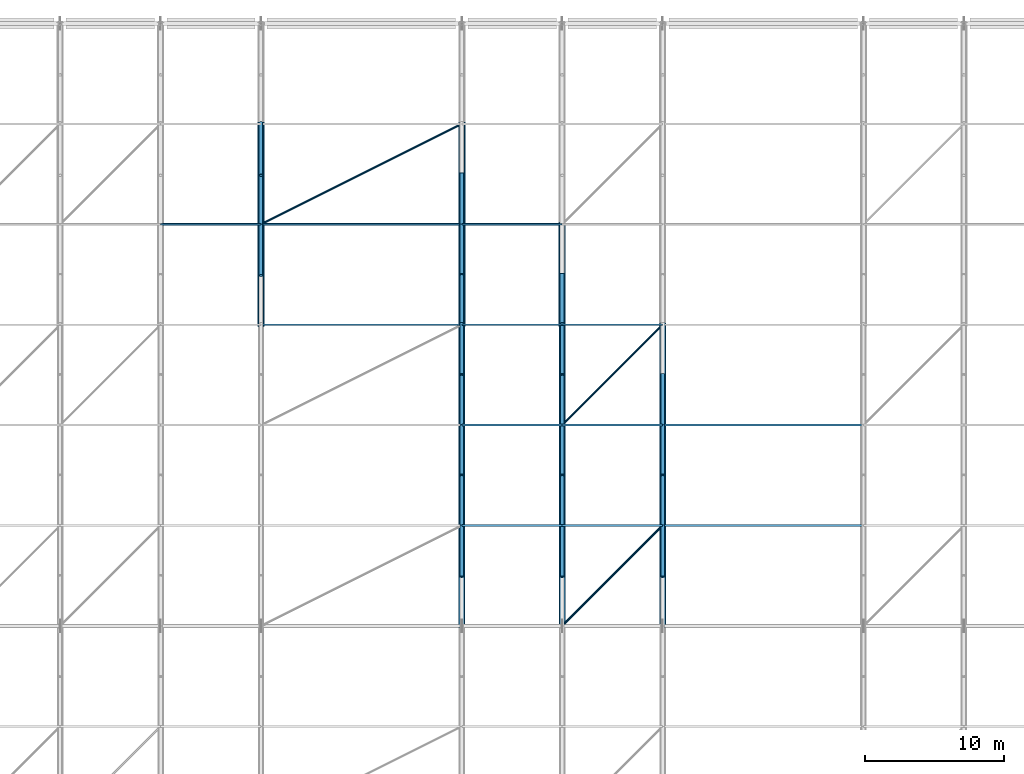
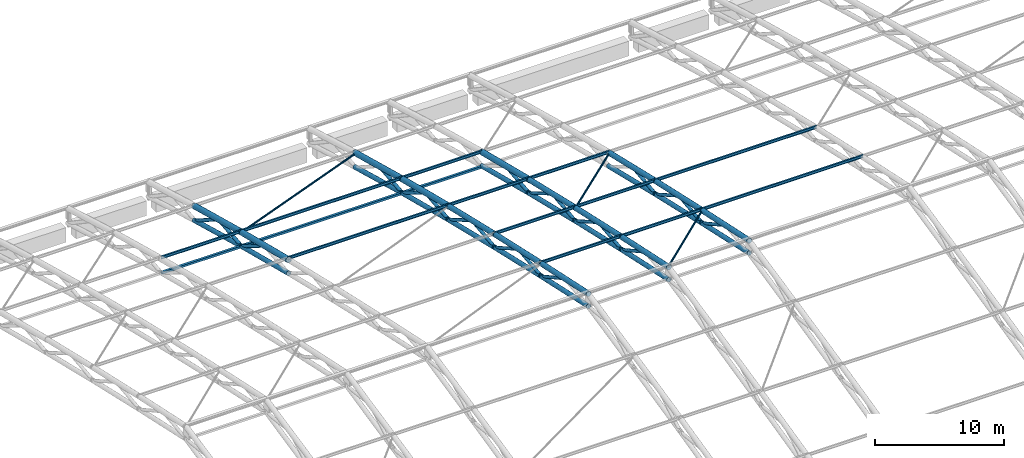
# One storey, part 44 of 193: 67 members.
"""IFC4 building model written with IfcOpenShell, lengths in metres."""

from ifc_helpers import new_model, si_unit, direction, frame, origin, origin_2d, place, context, subcontext, project, spatial, hollow_rectangle, hollow_circle, i_section, extrude, material, material_profile, profile_set, type_object, element, save


model = new_model("IFC4")

# Units and contexts
model_context = context("Model", 3, precision=1e-05, world=origin(), true_north=direction((0.0, 1.0)))
body_context = subcontext(model_context, "Body", "Model", "MODEL_VIEW")
ifc_project = project(units=[si_unit("LENGTHUNIT", "METRE"), si_unit("AREAUNIT", "SQUARE_METRE"), si_unit("VOLUMEUNIT", "CUBIC_METRE"), si_unit("PLANEANGLEUNIT", "RADIAN"), si_unit("MASSUNIT", "GRAM", prefix="KILO")], contexts=[model_context])

# Site, building, storey
site_placement = place(None, origin())
site = spatial("IfcSite", under=ifc_project, at=site_placement, CompositionType="ELEMENT")
building_placement = place(site_placement, origin())
building = spatial("IfcBuilding", under=site, at=building_placement, Name="Cendralis Lancet Convention Centre", CompositionType="ELEMENT")
storey_placement = place(building_placement, frame((0.0, 0.0, 10.199951171875)))
storey = spatial("IfcBuildingStorey", under=building, at=storey_placement, Name="L02", CompositionType="ELEMENT", Elevation=10.199951171875)

# Members
ifc_material = material(Name="Steel S355", Category="steel")
ifc_material_profile_1 = material_profile(ifc_material, hollow_circle(Radius=0.084228515625, WallThickness=0.008056640625, at=origin_2d()), Name="CHS 168.3x8.0")
ifc_profile_set_1 = profile_set([ifc_material_profile_1], Name="Steel S355")
member_type_1 = type_object("IfcMemberType", Name="STR-BR-RB01", PredefinedType="BRACE", material=ifc_profile_set_1)
member_1_placement = place(storey_placement, frame((21.60009765625, 122.39990234375, 7.576416015625), z_axis=(0.888129936701, 0.444080025994, -0.118398251878), x_axis=(-0.447225726904, 0.894421125195, 0.0)))
element("IfcMember", 1, at=member_1_placement, inside=storey, type_object=member_type_1, Name="Roof Diaphragm Brace RB01 V1-03-10A", PredefinedType="BRACE", context=body_context, shape_type="SweptSolid", body=[
    extrude(hollow_circle(Radius=0.084228515625, WallThickness=0.008056640625, at=origin_2d()), origin(), (0.0, 0.0, 1.0), 16.213623046875),
])
member_2_placement = place(storey_placement, frame((43.199951171875, 93.60009765625, 14.199951171875), z_axis=(0.699157645692, 0.699157645692, -0.149523151856), x_axis=(-0.707106781187, 0.707106781187, 0.0)))
element("IfcMember", 2, at=member_2_placement, inside=storey, type_object=member_type_1, Name="Roof Diaphragm Brace RB01 V1-05-06A", PredefinedType="BRACE", context=body_context, shape_type="SweptSolid", body=[
    extrude(hollow_circle(Radius=0.084228515625, WallThickness=0.008056640625, at=origin_2d()), origin(), (0.0, 0.0, 1.0), 10.298095703125),
])
member_3_placement = place(storey_placement, frame((43.199951171875, 108.0, 11.056884765625), z_axis=(0.697591582707, 0.697591582707, -0.163499135997), x_axis=(-0.707106781187, 0.707106781187, 0.0)))
element("IfcMember", 3, at=member_3_placement, inside=storey, type_object=member_type_1, Name="Roof Diaphragm Brace RB01 V1-05-08A", PredefinedType="BRACE", context=body_context, shape_type="SweptSolid", body=[
    extrude(hollow_circle(Radius=0.084228515625, WallThickness=0.008056640625, at=origin_2d()), origin(), (0.0, 0.0, 1.0), 10.321044921875),
])
ifc_material_profile_2 = material_profile(ifc_material, hollow_rectangle(XDim=0.199951171875, YDim=0.199951171875, WallThickness=0.010009765625, at=origin_2d()), Name="SHS 200x200x10.0")
ifc_profile_set_2 = profile_set([ifc_material_profile_2], Name="Steel S355")
member_type_2 = type_object("IfcMemberType", Name="STR-BR-ST01", PredefinedType="STRUT", material=ifc_profile_set_2)
member_4_placement = place(storey_placement, frame((14.39990234375, 122.39990234375, 6.2509765625), z_axis=(1.0, 0.0, 0.0), x_axis=(0.0, 1.0, 0.0)))
element("IfcMember", 4, at=member_4_placement, inside=storey, type_object=member_type_2, Name="Arch Tie Strut ST01 V1-02-10", PredefinedType="STRUT", context=body_context, shape_type="SweptSolid", body=[
    extrude(hollow_rectangle(XDim=0.199951171875, YDim=0.199951171875, WallThickness=0.010009765625, at=origin_2d()), origin(), (0.0, 0.0, 1.0), 7.2001953125),
])
member_5_placement = place(storey_placement, frame((21.60009765625, 122.39990234375, 6.2509765625), z_axis=(1.0, 0.0, 0.0), x_axis=(0.0, 1.0, 0.0)))
element("IfcMember", 5, at=member_5_placement, inside=storey, type_object=member_type_2, Name="Arch Tie Strut ST01 V1-03-10", PredefinedType="STRUT", context=body_context, shape_type="SweptSolid", body=[
    extrude(hollow_rectangle(XDim=0.199951171875, YDim=0.199951171875, WallThickness=0.010009765625, at=origin_2d()), origin(), (0.0, 0.0, 1.0), 14.39990234375),
])
member_6_placement = place(storey_placement, frame((36.0, 122.39990234375, 6.2509765625), z_axis=(1.0, 0.0, 0.0), x_axis=(0.0, 1.0, 0.0)))
element("IfcMember", 6, at=member_6_placement, inside=storey, type_object=member_type_2, Name="Arch Tie Strut ST01 V1-04-10", PredefinedType="STRUT", context=body_context, shape_type="SweptSolid", body=[
    extrude(hollow_rectangle(XDim=0.199951171875, YDim=0.199951171875, WallThickness=0.010009765625, at=origin_2d()), origin(), (0.0, 0.0, 1.0), 7.199951171875),
])
ifc_material_profile_3 = material_profile(ifc_material, i_section(OverallWidth=0.135009765625, OverallDepth=0.27001953125, WebThickness=0.006591796875, FlangeThickness=0.01025390625, FilletRadius=0.014892578125, at=origin_2d()), Name="IPE 270")
ifc_profile_set_3 = profile_set([ifc_material_profile_3], Name="Steel S355")
member_type_3 = type_object("IfcMemberType", Name="STR-PR-PR01", PredefinedType="PURLIN", material=ifc_profile_set_3)
member_7_placement = place(storey_placement, frame((14.39990234375, 122.39990234375, 7.69140625), z_axis=(1.0, 0.0, 0.0), x_axis=(0.0, 1.0, 0.0)))
element("IfcMember", 7, at=member_7_placement, inside=storey, type_object=member_type_3, Name="Vault Roof Purlin PR01 V1-02-10", PredefinedType="PURLIN", context=body_context, shape_type="SweptSolid", body=[
    extrude(i_section(OverallWidth=0.135009765625, OverallDepth=0.27001953125, WebThickness=0.006591796875, FlangeThickness=0.01025390625, FilletRadius=0.014892578125, at=origin_2d()), origin(), (0.0, 0.0, 1.0), 7.2001953125),
])
for number, where, z_axis, x_axis, name in (
    (8, (21.60009765625, 115.199951171875, 9.484375), (1.0, 0.0, 0.0), (0.0, 1.0, 0.0), "Vault Roof Purlin PR01 V1-03-09"),
    (9, (21.60009765625, 122.39990234375, 7.69140625), (1.0, 0.0, 0.0), (0.0, 1.0, 0.0), "Vault Roof Purlin PR01 V1-03-10"),
):
    element("IfcMember", number, at=place(storey_placement, frame(where, z_axis=z_axis, x_axis=x_axis)), inside=storey, type_object=member_type_3, Name=name, PredefinedType="PURLIN", context=body_context, shape_type="SweptSolid", body=[
        extrude(i_section(OverallWidth=0.135009765625, OverallDepth=0.27001953125, WebThickness=0.006591796875, FlangeThickness=0.01025390625, FilletRadius=0.014892578125, at=origin_2d()), origin(), (0.0, 0.0, 1.0), 14.39990234375),
    ])
for number, where, z_axis, x_axis, name in (
    (10, (36.0, 100.800048828125, 12.775146484375), (1.0, 0.0, 0.0), (0.0, 1.0, 0.0), "Vault Roof Purlin PR01 V1-04-07"),
    (11, (36.0, 108.0, 11.171875), (1.0, 0.0, 0.0), (0.0, 1.0, 0.0), "Vault Roof Purlin PR01 V1-04-08"),
    (12, (36.0, 115.199951171875, 9.484375), (1.0, 0.0, 0.0), (0.0, 1.0, 0.0), "Vault Roof Purlin PR01 V1-04-09"),
    (13, (36.0, 122.39990234375, 7.69140625), (1.0, 0.0, 0.0), (0.0, 1.0, 0.0), "Vault Roof Purlin PR01 V1-04-10"),
    (14, (43.199951171875, 100.800048828125, 12.775146484375), (1.0, 0.0, 0.0), (0.0, 1.0, 0.0), "Vault Roof Purlin PR01 V1-05-07"),
    (15, (43.199951171875, 108.0, 11.171875), (1.0, 0.0, 0.0), (0.0, 1.0, 0.0), "Vault Roof Purlin PR01 V1-05-08"),
    (16, (43.199951171875, 115.199951171875, 9.484375), (1.0, 0.0, 0.0), (0.0, 1.0, 0.0), "Vault Roof Purlin PR01 V1-05-09"),
):
    element("IfcMember", number, at=place(storey_placement, frame(where, z_axis=z_axis, x_axis=x_axis)), inside=storey, type_object=member_type_3, Name=name, PredefinedType="PURLIN", context=body_context, shape_type="SweptSolid", body=[
        extrude(i_section(OverallWidth=0.135009765625, OverallDepth=0.27001953125, WebThickness=0.006591796875, FlangeThickness=0.01025390625, FilletRadius=0.014892578125, at=origin_2d()), origin(), (0.0, 0.0, 1.0), 7.199951171875),
    ])
for number, where, z_axis, x_axis, name in (
    (17, (50.39990234375, 100.800048828125, 12.775146484375), (1.0, 0.0, 0.0), (0.0, 1.0, 0.0), "Vault Roof Purlin PR01 V1-06-07"),
    (18, (50.39990234375, 108.0, 11.171875), (1.0, 0.0, 0.0), (0.0, 1.0, 0.0), "Vault Roof Purlin PR01 V1-06-08"),
):
    element("IfcMember", number, at=place(storey_placement, frame(where, z_axis=z_axis, x_axis=x_axis)), inside=storey, type_object=member_type_3, Name=name, PredefinedType="PURLIN", context=body_context, shape_type="SweptSolid", body=[
        extrude(i_section(OverallWidth=0.135009765625, OverallDepth=0.27001953125, WebThickness=0.006591796875, FlangeThickness=0.01025390625, FilletRadius=0.014892578125, at=origin_2d()), origin(), (0.0, 0.0, 1.0), 14.400146484375),
    ])
ifc_material_profile_4 = material_profile(ifc_material, hollow_circle(Radius=0.203125, WallThickness=0.01611328125, at=origin_2d()), Name="CHS 406.4x16.0")
ifc_profile_set_4 = profile_set([ifc_material_profile_4], Name="Steel S355")
member_type_4 = type_object("IfcMemberType", Name="STR-TR-BC01-INT", PredefinedType="CHORD", material=ifc_profile_set_4)
member_8_placement = place(storey_placement, frame((21.60009765625, 115.083740234375, 8.111083984375), z_axis=(0.0, 0.969168531094, -0.246398779092), x_axis=(-1.0, 0.0, 0.0)))
element("IfcMember", 19, at=member_8_placement, inside=storey, type_object=member_type_4, Name="ROOF TRUSS AT-V1-04 Bottom Chord 09", PredefinedType="CHORD", context=body_context, shape_type="SweptSolid", body=[
    extrude(hollow_circle(Radius=0.203125, WallThickness=0.01611328125, at=origin_2d()), origin(), (0.0, 0.0, 1.0), 7.6689453125),
])
member_9_placement = place(storey_placement, frame((21.60009765625, 122.2841796875, 6.282470703125), z_axis=(0.0, 0.964987331955, -0.262296490953), x_axis=(-1.0, 0.0, 0.0)))
element("IfcMember", 20, at=member_9_placement, inside=storey, type_object=member_type_4, Name="ROOF TRUSS AT-V1-04 Bottom Chord 10", PredefinedType="CHORD", context=body_context, shape_type="SweptSolid", body=[
    extrude(hollow_circle(Radius=0.203125, WallThickness=0.01611328125, at=origin_2d()), origin(), (0.0, 0.0, 1.0), 7.701171875),
])
member_10_placement = place(storey_placement, frame((36.0, 93.48291015625, 13.0498046875), z_axis=(0.0, 0.97683404926, -0.213998224775), x_axis=(-1.0, 0.0, 0.0)))
element("IfcMember", 21, at=member_10_placement, inside=storey, type_object=member_type_4, Name="ROOF TRUSS AT-V1-05 Bottom Chord 06", PredefinedType="CHORD", context=body_context, shape_type="SweptSolid", body=[
    extrude(hollow_circle(Radius=0.203125, WallThickness=0.01611328125, at=origin_2d()), origin(), (0.0, 0.0, 1.0), 7.610595703125),
])
member_11_placement = place(storey_placement, frame((36.0, 100.68310546875, 11.4736328125), z_axis=(0.0, 0.975002780506, -0.222192659658), x_axis=(-1.0, 0.0, 0.0)))
element("IfcMember", 22, at=member_11_placement, inside=storey, type_object=member_type_4, Name="ROOF TRUSS AT-V1-05 Bottom Chord 07", PredefinedType="CHORD", context=body_context, shape_type="SweptSolid", body=[
    extrude(hollow_circle(Radius=0.203125, WallThickness=0.01611328125, at=origin_2d()), origin(), (0.0, 0.0, 1.0), 7.62451171875),
])
member_12_placement = place(storey_placement, frame((36.0, 107.88330078125, 9.834228515625), z_axis=(0.0, 0.97248347478, -0.232971868002), x_axis=(-1.0, 0.0, 0.0)))
element("IfcMember", 23, at=member_12_placement, inside=storey, type_object=member_type_4, Name="ROOF TRUSS AT-V1-05 Bottom Chord 08", PredefinedType="CHORD", context=body_context, shape_type="SweptSolid", body=[
    extrude(hollow_circle(Radius=0.203125, WallThickness=0.01611328125, at=origin_2d()), origin(), (0.0, 0.0, 1.0), 7.643798828125),
])
member_13_placement = place(storey_placement, frame((36.0, 115.083740234375, 8.111083984375), z_axis=(0.0, 0.969168531094, -0.246398779092), x_axis=(-1.0, 0.0, 0.0)))
element("IfcMember", 24, at=member_13_placement, inside=storey, type_object=member_type_4, Name="ROOF TRUSS AT-V1-05 Bottom Chord 09", PredefinedType="CHORD", context=body_context, shape_type="SweptSolid", body=[
    extrude(hollow_circle(Radius=0.203125, WallThickness=0.01611328125, at=origin_2d()), origin(), (0.0, 0.0, 1.0), 7.6689453125),
])
member_14_placement = place(storey_placement, frame((36.0, 122.2841796875, 6.282470703125), z_axis=(0.0, 0.964987331955, -0.262296490953), x_axis=(-1.0, 0.0, 0.0)))
element("IfcMember", 25, at=member_14_placement, inside=storey, type_object=member_type_4, Name="ROOF TRUSS AT-V1-05 Bottom Chord 10", PredefinedType="CHORD", context=body_context, shape_type="SweptSolid", body=[
    extrude(hollow_circle(Radius=0.203125, WallThickness=0.01611328125, at=origin_2d()), origin(), (0.0, 0.0, 1.0), 7.701171875),
])
member_15_placement = place(storey_placement, frame((43.199951171875, 93.48291015625, 13.0498046875), z_axis=(0.0, 0.97683404926, -0.213998224775), x_axis=(-1.0, 0.0, 0.0)))
element("IfcMember", 26, at=member_15_placement, inside=storey, type_object=member_type_4, Name="ROOF TRUSS AT-V1-06 Bottom Chord 06", PredefinedType="CHORD", context=body_context, shape_type="SweptSolid", body=[
    extrude(hollow_circle(Radius=0.203125, WallThickness=0.01611328125, at=origin_2d()), origin(), (0.0, 0.0, 1.0), 7.610595703125),
])
member_16_placement = place(storey_placement, frame((43.199951171875, 100.68310546875, 11.4736328125), z_axis=(0.0, 0.975002780506, -0.222192659658), x_axis=(-1.0, 0.0, 0.0)))
element("IfcMember", 27, at=member_16_placement, inside=storey, type_object=member_type_4, Name="ROOF TRUSS AT-V1-06 Bottom Chord 07", PredefinedType="CHORD", context=body_context, shape_type="SweptSolid", body=[
    extrude(hollow_circle(Radius=0.203125, WallThickness=0.01611328125, at=origin_2d()), origin(), (0.0, 0.0, 1.0), 7.62451171875),
])
member_17_placement = place(storey_placement, frame((43.199951171875, 107.88330078125, 9.834228515625), z_axis=(0.0, 0.97248347478, -0.232971868002), x_axis=(-1.0, 0.0, 0.0)))
element("IfcMember", 28, at=member_17_placement, inside=storey, type_object=member_type_4, Name="ROOF TRUSS AT-V1-06 Bottom Chord 08", PredefinedType="CHORD", context=body_context, shape_type="SweptSolid", body=[
    extrude(hollow_circle(Radius=0.203125, WallThickness=0.01611328125, at=origin_2d()), origin(), (0.0, 0.0, 1.0), 7.643798828125),
])
member_18_placement = place(storey_placement, frame((43.199951171875, 115.083740234375, 8.111083984375), z_axis=(0.0, 0.969168531094, -0.246398779092), x_axis=(-1.0, 0.0, 0.0)))
element("IfcMember", 29, at=member_18_placement, inside=storey, type_object=member_type_4, Name="ROOF TRUSS AT-V1-06 Bottom Chord 09", PredefinedType="CHORD", context=body_context, shape_type="SweptSolid", body=[
    extrude(hollow_circle(Radius=0.203125, WallThickness=0.01611328125, at=origin_2d()), origin(), (0.0, 0.0, 1.0), 7.6689453125),
])
member_19_placement = place(storey_placement, frame((50.39990234375, 93.48291015625, 13.0498046875), z_axis=(0.0, 0.97683404926, -0.213998224775), x_axis=(-1.0, 0.0, 0.0)))
element("IfcMember", 30, at=member_19_placement, inside=storey, type_object=member_type_4, Name="ROOF TRUSS AT-V1-07 Bottom Chord 06", PredefinedType="CHORD", context=body_context, shape_type="SweptSolid", body=[
    extrude(hollow_circle(Radius=0.203125, WallThickness=0.01611328125, at=origin_2d()), origin(), (0.0, 0.0, 1.0), 7.610595703125),
])
member_20_placement = place(storey_placement, frame((50.39990234375, 100.68310546875, 11.4736328125), z_axis=(0.0, 0.975002780506, -0.222192659658), x_axis=(-1.0, 0.0, 0.0)))
element("IfcMember", 31, at=member_20_placement, inside=storey, type_object=member_type_4, Name="ROOF TRUSS AT-V1-07 Bottom Chord 07", PredefinedType="CHORD", context=body_context, shape_type="SweptSolid", body=[
    extrude(hollow_circle(Radius=0.203125, WallThickness=0.01611328125, at=origin_2d()), origin(), (0.0, 0.0, 1.0), 7.62451171875),
])
member_21_placement = place(storey_placement, frame((50.39990234375, 107.88330078125, 9.834228515625), z_axis=(0.0, 0.97248347478, -0.232971868002), x_axis=(-1.0, 0.0, 0.0)))
element("IfcMember", 32, at=member_21_placement, inside=storey, type_object=member_type_4, Name="ROOF TRUSS AT-V1-07 Bottom Chord 08", PredefinedType="CHORD", context=body_context, shape_type="SweptSolid", body=[
    extrude(hollow_circle(Radius=0.203125, WallThickness=0.01611328125, at=origin_2d()), origin(), (0.0, 0.0, 1.0), 7.643798828125),
])
ifc_material_profile_5 = material_profile(ifc_material, hollow_circle(Radius=0.25390625, WallThickness=0.02001953125, at=origin_2d()), Name="CHS 508.0x20.0")
ifc_profile_set_5 = profile_set([ifc_material_profile_5], Name="Steel S355")
member_type_5 = type_object("IfcMemberType", Name="STR-TR-TC01-INT", PredefinedType="CHORD", material=ifc_profile_set_5)
member_22_placement = place(storey_placement, frame((21.60009765625, 115.08349609375, 9.3984375), z_axis=(0.0, 0.97036146187, -0.241658091769), x_axis=(-1.0, 0.0, 0.0)))
element("IfcMember", 33, at=member_22_placement, inside=storey, type_object=member_type_5, Name="ROOF TRUSS AT-V1-04 Top Chord 09", PredefinedType="CHORD", context=body_context, shape_type="SweptSolid", body=[
    extrude(hollow_circle(Radius=0.25390625, WallThickness=0.02001953125, at=origin_2d()), origin(), (0.0, 0.0, 1.0), 7.659912109375),
])
member_23_placement = place(storey_placement, frame((21.60009765625, 122.2841796875, 7.607177734375), z_axis=(0.0, 0.966245475764, -0.257623136705), x_axis=(-1.0, 0.0, 0.0)))
element("IfcMember", 34, at=member_23_placement, inside=storey, type_object=member_type_5, Name="ROOF TRUSS AT-V1-04 Top Chord 10", PredefinedType="CHORD", context=body_context, shape_type="SweptSolid", body=[
    extrude(hollow_circle(Radius=0.25390625, WallThickness=0.02001953125, at=origin_2d()), origin(), (0.0, 0.0, 1.0), 7.691162109375),
])
member_24_placement = place(storey_placement, frame((36.0, 115.08349609375, 9.3984375), z_axis=(0.0, 0.97036146187, -0.241658091769), x_axis=(-1.0, 0.0, 0.0)))
element("IfcMember", 35, at=member_24_placement, inside=storey, type_object=member_type_5, Name="ROOF TRUSS AT-V1-05 Top Chord 09", PredefinedType="CHORD", context=body_context, shape_type="SweptSolid", body=[
    extrude(hollow_circle(Radius=0.25390625, WallThickness=0.02001953125, at=origin_2d()), origin(), (0.0, 0.0, 1.0), 7.659912109375),
])
member_25_placement = place(storey_placement, frame((36.0, 122.2841796875, 7.607177734375), z_axis=(0.0, 0.966245475764, -0.257623136705), x_axis=(-1.0, 0.0, 0.0)))
element("IfcMember", 36, at=member_25_placement, inside=storey, type_object=member_type_5, Name="ROOF TRUSS AT-V1-05 Top Chord 10", PredefinedType="CHORD", context=body_context, shape_type="SweptSolid", body=[
    extrude(hollow_circle(Radius=0.25390625, WallThickness=0.02001953125, at=origin_2d()), origin(), (0.0, 0.0, 1.0), 7.691162109375),
])
member_26_placement = place(storey_placement, frame((43.199951171875, 115.08349609375, 9.3984375), z_axis=(0.0, 0.97036146187, -0.241658091769), x_axis=(-1.0, 0.0, 0.0)))
element("IfcMember", 37, at=member_26_placement, inside=storey, type_object=member_type_5, Name="ROOF TRUSS AT-V1-06 Top Chord 09", PredefinedType="CHORD", context=body_context, shape_type="SweptSolid", body=[
    extrude(hollow_circle(Radius=0.25390625, WallThickness=0.02001953125, at=origin_2d()), origin(), (0.0, 0.0, 1.0), 7.659912109375),
])
ifc_material_profile_6 = material_profile(ifc_material, hollow_circle(Radius=0.228515625, WallThickness=0.02001953125, at=origin_2d()), Name="CHS 457.0x20.0")
ifc_profile_set_6 = profile_set([ifc_material_profile_6], Name="Steel S355")
member_type_6 = type_object("IfcMemberType", Name="STR-TR-TC01B-INT", PredefinedType="CHORD", material=ifc_profile_set_6)
member_27_placement = place(storey_placement, frame((36.0, 93.482666015625, 14.22509765625), z_axis=(0.0, 0.97788410853, -0.209147484528), x_axis=(-1.0, 0.0, 0.0)))
element("IfcMember", 38, at=member_27_placement, inside=storey, type_object=member_type_6, Name="ROOF TRUSS AT-V1-05 Top Chord 06", PredefinedType="CHORD", context=body_context, shape_type="SweptSolid", body=[
    extrude(hollow_circle(Radius=0.228515625, WallThickness=0.02001953125, at=origin_2d()), origin(), (0.0, 0.0, 1.0), 7.602783203125),
])
member_28_placement = place(storey_placement, frame((36.0, 100.682861328125, 12.686279296875), z_axis=(0.0, 0.976091178672, -0.217361475241), x_axis=(-1.0, 0.0, 0.0)))
element("IfcMember", 39, at=member_28_placement, inside=storey, type_object=member_type_6, Name="ROOF TRUSS AT-V1-05 Top Chord 07", PredefinedType="CHORD", context=body_context, shape_type="SweptSolid", body=[
    extrude(hollow_circle(Radius=0.228515625, WallThickness=0.02001953125, at=origin_2d()), origin(), (0.0, 0.0, 1.0), 7.616455078125),
])
member_29_placement = place(storey_placement, frame((36.0, 107.88330078125, 11.084228515625), z_axis=(0.0, 0.973618086595, -0.22818374494), x_axis=(-1.0, 0.0, 0.0)))
element("IfcMember", 40, at=member_29_placement, inside=storey, type_object=member_type_6, Name="ROOF TRUSS AT-V1-05 Top Chord 08", PredefinedType="CHORD", context=body_context, shape_type="SweptSolid", body=[
    extrude(hollow_circle(Radius=0.228515625, WallThickness=0.02001953125, at=origin_2d()), origin(), (0.0, 0.0, 1.0), 7.635009765625),
])
member_30_placement = place(storey_placement, frame((43.199951171875, 93.482666015625, 14.22509765625), z_axis=(0.0, 0.97788410853, -0.209147484528), x_axis=(-1.0, 0.0, 0.0)))
element("IfcMember", 41, at=member_30_placement, inside=storey, type_object=member_type_6, Name="ROOF TRUSS AT-V1-06 Top Chord 06", PredefinedType="CHORD", context=body_context, shape_type="SweptSolid", body=[
    extrude(hollow_circle(Radius=0.228515625, WallThickness=0.02001953125, at=origin_2d()), origin(), (0.0, 0.0, 1.0), 7.602783203125),
])
member_31_placement = place(storey_placement, frame((43.199951171875, 100.682861328125, 12.686279296875), z_axis=(0.0, 0.976091178672, -0.217361475241), x_axis=(-1.0, 0.0, 0.0)))
element("IfcMember", 42, at=member_31_placement, inside=storey, type_object=member_type_6, Name="ROOF TRUSS AT-V1-06 Top Chord 07", PredefinedType="CHORD", context=body_context, shape_type="SweptSolid", body=[
    extrude(hollow_circle(Radius=0.228515625, WallThickness=0.02001953125, at=origin_2d()), origin(), (0.0, 0.0, 1.0), 7.616455078125),
])
member_32_placement = place(storey_placement, frame((43.199951171875, 107.88330078125, 11.084228515625), z_axis=(0.0, 0.973618086595, -0.22818374494), x_axis=(-1.0, 0.0, 0.0)))
element("IfcMember", 43, at=member_32_placement, inside=storey, type_object=member_type_6, Name="ROOF TRUSS AT-V1-06 Top Chord 08", PredefinedType="CHORD", context=body_context, shape_type="SweptSolid", body=[
    extrude(hollow_circle(Radius=0.228515625, WallThickness=0.02001953125, at=origin_2d()), origin(), (0.0, 0.0, 1.0), 7.635009765625),
])
member_33_placement = place(storey_placement, frame((50.39990234375, 93.482666015625, 14.22509765625), z_axis=(0.0, 0.97788410853, -0.209147484528), x_axis=(-1.0, 0.0, 0.0)))
element("IfcMember", 44, at=member_33_placement, inside=storey, type_object=member_type_6, Name="ROOF TRUSS AT-V1-07 Top Chord 06", PredefinedType="CHORD", context=body_context, shape_type="SweptSolid", body=[
    extrude(hollow_circle(Radius=0.228515625, WallThickness=0.02001953125, at=origin_2d()), origin(), (0.0, 0.0, 1.0), 7.602783203125),
])
member_34_placement = place(storey_placement, frame((50.39990234375, 100.682861328125, 12.686279296875), z_axis=(0.0, 0.976091178672, -0.217361475241), x_axis=(-1.0, 0.0, 0.0)))
element("IfcMember", 45, at=member_34_placement, inside=storey, type_object=member_type_6, Name="ROOF TRUSS AT-V1-07 Top Chord 07", PredefinedType="CHORD", context=body_context, shape_type="SweptSolid", body=[
    extrude(hollow_circle(Radius=0.228515625, WallThickness=0.02001953125, at=origin_2d()), origin(), (0.0, 0.0, 1.0), 7.616455078125),
])
member_35_placement = place(storey_placement, frame((50.39990234375, 107.88330078125, 11.084228515625), z_axis=(0.0, 0.973618086595, -0.22818374494), x_axis=(-1.0, 0.0, 0.0)))
element("IfcMember", 46, at=member_35_placement, inside=storey, type_object=member_type_6, Name="ROOF TRUSS AT-V1-07 Top Chord 08", PredefinedType="CHORD", context=body_context, shape_type="SweptSolid", body=[
    extrude(hollow_circle(Radius=0.228515625, WallThickness=0.02001953125, at=origin_2d()), origin(), (0.0, 0.0, 1.0), 7.635009765625),
])
ifc_material_profile_7 = material_profile(ifc_material, hollow_circle(Radius=0.149169921875, WallThickness=0.012451171875, at=origin_2d()), Name="CHS 298.5x12.5")
ifc_profile_set_7 = profile_set([ifc_material_profile_7], Name="Steel S355")
member_type_7 = type_object("IfcMemberType", Name="STR-TR-WD01-INT", PredefinedType="BRACE", material=ifc_profile_set_7)
member_36_placement = place(storey_placement, frame((21.60009765625, 118.71484375, 8.525390625), z_axis=(0.0, 0.850978373815, -0.525200730482), x_axis=(-1.0, 0.0, 0.0)))
element("IfcMember", 47, at=member_36_placement, inside=storey, type_object=member_type_7, Name="ROOF TRUSS AT-V1-04 Warren Web 09-1", PredefinedType="BRACE", context=body_context, shape_type="SweptSolid", body=[
    extrude(hollow_circle(Radius=0.149169921875, WallThickness=0.012451171875, at=origin_2d()), origin(), (0.0, 0.0, 1.0), 4.430419921875),
])
member_37_placement = place(storey_placement, frame((21.60009765625, 122.300537109375, 6.240966796875), z_axis=(0.0, 0.994884749511, 0.101016509493), x_axis=(-1.0, 0.0, 0.0)))
element("IfcMember", 48, at=member_37_placement, inside=storey, type_object=member_type_7, Name="ROOF TRUSS AT-V1-04 Warren Web 10-0", PredefinedType="BRACE", context=body_context, shape_type="SweptSolid", body=[
    extrude(hollow_circle(Radius=0.149169921875, WallThickness=0.012451171875, at=origin_2d()), origin(), (0.0, 0.0, 1.0), 3.818603515625),
])
member_38_placement = place(storey_placement, frame((21.60009765625, 125.916015625, 6.670654296875), z_axis=(0.0, 0.840307049061, -0.542110748186), x_axis=(-1.0, 0.0, 0.0)))
element("IfcMember", 49, at=member_38_placement, inside=storey, type_object=member_type_7, Name="ROOF TRUSS AT-V1-04 Warren Web 10-1", PredefinedType="BRACE", context=body_context, shape_type="SweptSolid", body=[
    extrude(hollow_circle(Radius=0.149169921875, WallThickness=0.012451171875, at=origin_2d()), origin(), (0.0, 0.0, 1.0), 4.484130859375),
])
member_39_placement = place(storey_placement, frame((36.0, 115.1005859375, 8.070556640625), z_axis=(0.0, 0.994139687453, 0.108103107402), x_axis=(-1.0, 0.0, 0.0)))
element("IfcMember", 50, at=member_39_placement, inside=storey, type_object=member_type_7, Name="ROOF TRUSS AT-V1-05 Warren Web 09-0", PredefinedType="BRACE", context=body_context, shape_type="SweptSolid", body=[
    extrude(hollow_circle(Radius=0.149169921875, WallThickness=0.012451171875, at=origin_2d()), origin(), (0.0, 0.0, 1.0), 3.8212890625),
])
member_40_placement = place(storey_placement, frame((36.0, 118.71484375, 8.525390625), z_axis=(0.0, 0.850978373815, -0.525200730482), x_axis=(-1.0, 0.0, 0.0)))
element("IfcMember", 51, at=member_40_placement, inside=storey, type_object=member_type_7, Name="ROOF TRUSS AT-V1-05 Warren Web 09-1", PredefinedType="BRACE", context=body_context, shape_type="SweptSolid", body=[
    extrude(hollow_circle(Radius=0.149169921875, WallThickness=0.012451171875, at=origin_2d()), origin(), (0.0, 0.0, 1.0), 4.430419921875),
])
member_41_placement = place(storey_placement, frame((36.0, 122.300537109375, 6.240966796875), z_axis=(0.0, 0.994884749511, 0.101016509493), x_axis=(-1.0, 0.0, 0.0)))
element("IfcMember", 52, at=member_41_placement, inside=storey, type_object=member_type_7, Name="ROOF TRUSS AT-V1-05 Warren Web 10-0", PredefinedType="BRACE", context=body_context, shape_type="SweptSolid", body=[
    extrude(hollow_circle(Radius=0.149169921875, WallThickness=0.012451171875, at=origin_2d()), origin(), (0.0, 0.0, 1.0), 3.818603515625),
])
member_42_placement = place(storey_placement, frame((43.199951171875, 115.1005859375, 8.070556640625), z_axis=(0.0, 0.994139687453, 0.108103107402), x_axis=(-1.0, 0.0, 0.0)))
element("IfcMember", 53, at=member_42_placement, inside=storey, type_object=member_type_7, Name="ROOF TRUSS AT-V1-06 Warren Web 09-0", PredefinedType="BRACE", context=body_context, shape_type="SweptSolid", body=[
    extrude(hollow_circle(Radius=0.149169921875, WallThickness=0.012451171875, at=origin_2d()), origin(), (0.0, 0.0, 1.0), 3.8212890625),
])
ifc_material_profile_8 = material_profile(ifc_material, hollow_circle(Radius=0.136474609375, WallThickness=0.012451171875, at=origin_2d()), Name="CHS 273.0x12.5")
ifc_profile_set_8 = profile_set([ifc_material_profile_8], Name="Steel S355")
member_type_8 = type_object("IfcMemberType", Name="STR-TR-WD01B-INT", PredefinedType="BRACE", material=ifc_profile_set_8)
member_43_placement = place(storey_placement, frame((36.0, 97.1123046875, 13.478271484375), z_axis=(0.0, 0.875885645672, -0.482518741301), x_axis=(-1.0, 0.0, 0.0)))
element("IfcMember", 54, at=member_43_placement, inside=storey, type_object=member_type_8, Name="ROOF TRUSS AT-V1-05 Warren Web 06-1", PredefinedType="BRACE", context=body_context, shape_type="SweptSolid", body=[
    extrude(hollow_circle(Radius=0.136474609375, WallThickness=0.012451171875, at=origin_2d()), origin(), (0.0, 0.0, 1.0), 4.310302734375),
])
member_44_placement = place(storey_placement, frame((36.0, 100.70068359375, 11.435546875), z_axis=(0.0, 0.993527526481, 0.113591611157), x_axis=(-1.0, 0.0, 0.0)))
element("IfcMember", 55, at=member_44_placement, inside=storey, type_object=member_type_8, Name="ROOF TRUSS AT-V1-05 Warren Web 07-0", PredefinedType="BRACE", context=body_context, shape_type="SweptSolid", body=[
    extrude(hollow_circle(Radius=0.136474609375, WallThickness=0.012451171875, at=origin_2d()), origin(), (0.0, 0.0, 1.0), 3.823486328125),
])
member_45_placement = place(storey_placement, frame((36.0, 104.31298828125, 11.907958984375), z_axis=(0.0, 0.86877872096, -0.495200498795), x_axis=(-1.0, 0.0, 0.0)))
element("IfcMember", 56, at=member_45_placement, inside=storey, type_object=member_type_8, Name="ROOF TRUSS AT-V1-05 Warren Web 07-1", PredefinedType="BRACE", context=body_context, shape_type="SweptSolid", body=[
    extrude(hollow_circle(Radius=0.136474609375, WallThickness=0.012451171875, at=origin_2d()), origin(), (0.0, 0.0, 1.0), 4.343994140625),
])
member_46_placement = place(storey_placement, frame((36.0, 107.900634765625, 9.795166015625), z_axis=(0.0, 0.993677994269, 0.112267732257), x_axis=(-1.0, 0.0, 0.0)))
element("IfcMember", 57, at=member_46_placement, inside=storey, type_object=member_type_8, Name="ROOF TRUSS AT-V1-05 Warren Web 08-0", PredefinedType="BRACE", context=body_context, shape_type="SweptSolid", body=[
    extrude(hollow_circle(Radius=0.136474609375, WallThickness=0.012451171875, at=origin_2d()), origin(), (0.0, 0.0, 1.0), 3.822998046875),
])
member_47_placement = place(storey_placement, frame((36.0, 111.513916015625, 10.26416015625), z_axis=(0.0, 0.860451614668, -0.509532156802), x_axis=(-1.0, 0.0, 0.0)))
element("IfcMember", 58, at=member_47_placement, inside=storey, type_object=member_type_8, Name="ROOF TRUSS AT-V1-05 Warren Web 08-1", PredefinedType="BRACE", context=body_context, shape_type="SweptSolid", body=[
    extrude(hollow_circle(Radius=0.136474609375, WallThickness=0.012451171875, at=origin_2d()), origin(), (0.0, 0.0, 1.0), 4.3837890625),
])
member_48_placement = place(storey_placement, frame((43.199951171875, 97.1123046875, 13.478271484375), z_axis=(0.0, 0.875885645672, -0.482518741301), x_axis=(-1.0, 0.0, 0.0)))
element("IfcMember", 59, at=member_48_placement, inside=storey, type_object=member_type_8, Name="ROOF TRUSS AT-V1-06 Warren Web 06-1", PredefinedType="BRACE", context=body_context, shape_type="SweptSolid", body=[
    extrude(hollow_circle(Radius=0.136474609375, WallThickness=0.012451171875, at=origin_2d()), origin(), (0.0, 0.0, 1.0), 4.310302734375),
])
member_49_placement = place(storey_placement, frame((43.199951171875, 100.70068359375, 11.435546875), z_axis=(0.0, 0.993527526481, 0.113591611157), x_axis=(-1.0, 0.0, 0.0)))
element("IfcMember", 60, at=member_49_placement, inside=storey, type_object=member_type_8, Name="ROOF TRUSS AT-V1-06 Warren Web 07-0", PredefinedType="BRACE", context=body_context, shape_type="SweptSolid", body=[
    extrude(hollow_circle(Radius=0.136474609375, WallThickness=0.012451171875, at=origin_2d()), origin(), (0.0, 0.0, 1.0), 3.823486328125),
])
member_50_placement = place(storey_placement, frame((43.199951171875, 104.31298828125, 11.907958984375), z_axis=(0.0, 0.86877872096, -0.495200498795), x_axis=(-1.0, 0.0, 0.0)))
element("IfcMember", 61, at=member_50_placement, inside=storey, type_object=member_type_8, Name="ROOF TRUSS AT-V1-06 Warren Web 07-1", PredefinedType="BRACE", context=body_context, shape_type="SweptSolid", body=[
    extrude(hollow_circle(Radius=0.136474609375, WallThickness=0.012451171875, at=origin_2d()), origin(), (0.0, 0.0, 1.0), 4.343994140625),
])
member_51_placement = place(storey_placement, frame((43.199951171875, 107.900634765625, 9.795166015625), z_axis=(0.0, 0.993677994269, 0.112267732257), x_axis=(-1.0, 0.0, 0.0)))
element("IfcMember", 62, at=member_51_placement, inside=storey, type_object=member_type_8, Name="ROOF TRUSS AT-V1-06 Warren Web 08-0", PredefinedType="BRACE", context=body_context, shape_type="SweptSolid", body=[
    extrude(hollow_circle(Radius=0.136474609375, WallThickness=0.012451171875, at=origin_2d()), origin(), (0.0, 0.0, 1.0), 3.822998046875),
])
member_52_placement = place(storey_placement, frame((43.199951171875, 111.513916015625, 10.26416015625), z_axis=(0.0, 0.860451614668, -0.509532156802), x_axis=(-1.0, 0.0, 0.0)))
element("IfcMember", 63, at=member_52_placement, inside=storey, type_object=member_type_8, Name="ROOF TRUSS AT-V1-06 Warren Web 08-1", PredefinedType="BRACE", context=body_context, shape_type="SweptSolid", body=[
    extrude(hollow_circle(Radius=0.136474609375, WallThickness=0.012451171875, at=origin_2d()), origin(), (0.0, 0.0, 1.0), 4.3837890625),
])
member_53_placement = place(storey_placement, frame((50.39990234375, 97.1123046875, 13.478271484375), z_axis=(0.0, 0.875885645672, -0.482518741301), x_axis=(-1.0, 0.0, 0.0)))
element("IfcMember", 64, at=member_53_placement, inside=storey, type_object=member_type_8, Name="ROOF TRUSS AT-V1-07 Warren Web 06-1", PredefinedType="BRACE", context=body_context, shape_type="SweptSolid", body=[
    extrude(hollow_circle(Radius=0.136474609375, WallThickness=0.012451171875, at=origin_2d()), origin(), (0.0, 0.0, 1.0), 4.310302734375),
])
member_54_placement = place(storey_placement, frame((50.39990234375, 100.70068359375, 11.435546875), z_axis=(0.0, 0.993527526481, 0.113591611157), x_axis=(-1.0, 0.0, 0.0)))
element("IfcMember", 65, at=member_54_placement, inside=storey, type_object=member_type_8, Name="ROOF TRUSS AT-V1-07 Warren Web 07-0", PredefinedType="BRACE", context=body_context, shape_type="SweptSolid", body=[
    extrude(hollow_circle(Radius=0.136474609375, WallThickness=0.012451171875, at=origin_2d()), origin(), (0.0, 0.0, 1.0), 3.823486328125),
])
member_55_placement = place(storey_placement, frame((50.39990234375, 104.31298828125, 11.907958984375), z_axis=(0.0, 0.86877872096, -0.495200498795), x_axis=(-1.0, 0.0, 0.0)))
element("IfcMember", 66, at=member_55_placement, inside=storey, type_object=member_type_8, Name="ROOF TRUSS AT-V1-07 Warren Web 07-1", PredefinedType="BRACE", context=body_context, shape_type="SweptSolid", body=[
    extrude(hollow_circle(Radius=0.136474609375, WallThickness=0.012451171875, at=origin_2d()), origin(), (0.0, 0.0, 1.0), 4.343994140625),
])
member_56_placement = place(storey_placement, frame((50.39990234375, 107.900634765625, 9.795166015625), z_axis=(0.0, 0.993677994269, 0.112267732257), x_axis=(-1.0, 0.0, 0.0)))
element("IfcMember", 67, at=member_56_placement, inside=storey, type_object=member_type_8, Name="ROOF TRUSS AT-V1-07 Warren Web 08-0", PredefinedType="BRACE", context=body_context, shape_type="SweptSolid", body=[
    extrude(hollow_circle(Radius=0.136474609375, WallThickness=0.012451171875, at=origin_2d()), origin(), (0.0, 0.0, 1.0), 3.822998046875),
])

save(model, "model.ifc")
